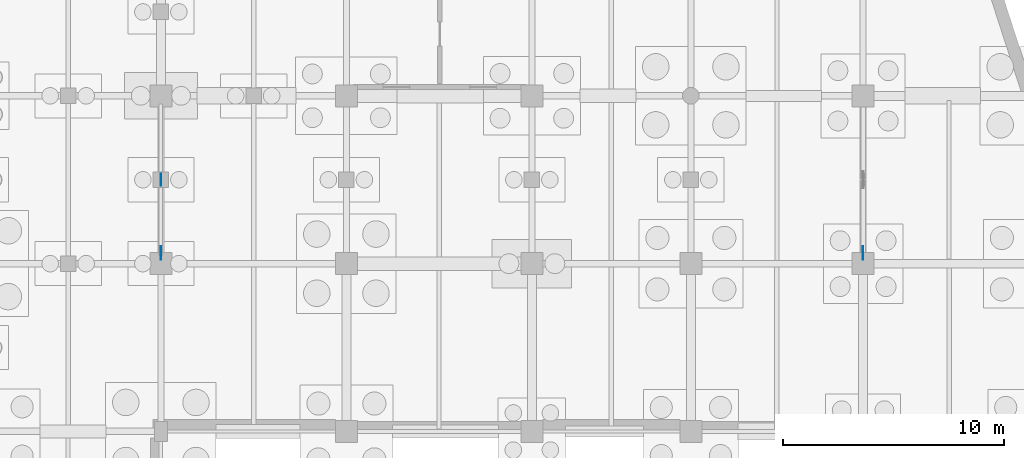
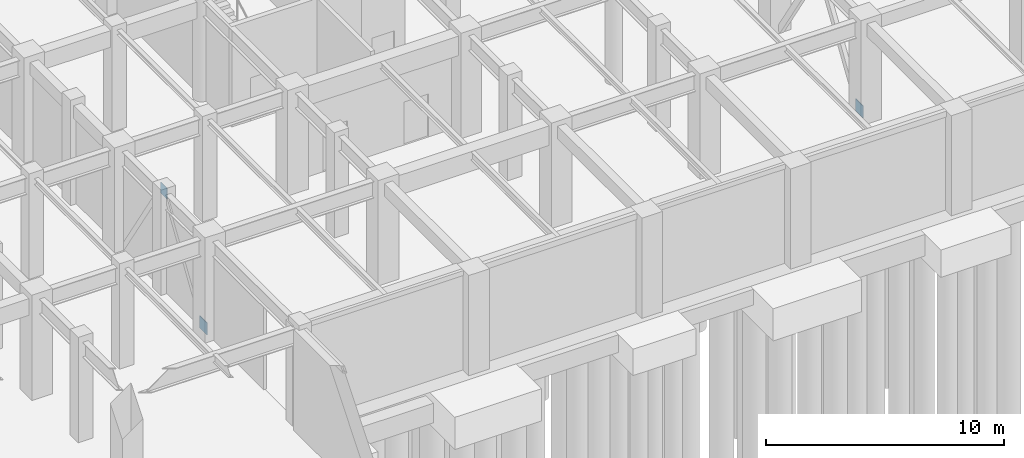
# One storey, part 37 of 52: 3 plates.
"""IFC4 building model written with IfcOpenShell, lengths in metres."""

from ifc_helpers import new_model, si_unit, direction, frame, origin, origin_2d, place, context, subcontext, project, spatial, rectangle, extrude, material, layer, layer_set, type_object, element, save


model = new_model("IFC4")

# Units and contexts
model_context = context("Model", 3, precision=1e-05, world=origin(), true_north=direction((0.0, 1.0)))
body_context = subcontext(model_context, "Body", "Model", "MODEL_VIEW")
ifc_project = project(units=[si_unit("LENGTHUNIT", "METRE"), si_unit("AREAUNIT", "SQUARE_METRE"), si_unit("VOLUMEUNIT", "CUBIC_METRE"), si_unit("PLANEANGLEUNIT", "RADIAN"), si_unit("MASSUNIT", "GRAM", prefix="KILO")], contexts=[model_context])

# Site, building, storey
site_placement = place(None, origin())
site = spatial("IfcSite", under=ifc_project, at=site_placement, CompositionType="ELEMENT")
building_placement = place(site_placement, origin())
building = spatial("IfcBuilding", under=site, at=building_placement, Name="Xicomal Pleat Aquarium", CompositionType="ELEMENT")
storey_placement = place(building_placement, frame((0.0, 0.0, -5.39990234375)))
storey = spatial("IfcBuildingStorey", under=building, at=storey_placement, Name="B1", CompositionType="ELEMENT", Elevation=-5.39990234375)

# Plates
ifc_material_1 = material(Name="Structural steel A992 Gr 50", Category="steel")
ifc_layer_1 = layer(ifc_material_1, 0.030029296875)
ifc_layer_set_1 = layer_set([ifc_layer_1], Name="Structural steel A992 Gr 50")
plate_type_1 = type_object("IfcPlateType", Name="PLT-CAP-30", PredefinedType="SHEET", material=ifc_layer_set_1)
for number, where, z_axis, x_axis, name in (
    (1, (94.199951171875, 38.47998046875, -0.16015625), (0.0, 0.0, 1.0), (0.0, 1.0, 0.0), "B1 HSS end cap plate 15"),
    (2, (126.0, 38.47998046875, -0.16015625), (0.0, 0.0, 1.0), (0.0, 1.0, 0.0), "B1 HSS end cap plate 19"),
):
    element("IfcPlate", number, at=place(storey_placement, frame(where, z_axis=z_axis, x_axis=x_axis)), inside=storey, type_object=plate_type_1, Name=name, PredefinedType="SHEET", context=body_context, shape_type="SweptSolid", body=[
        extrude(rectangle(XDim=0.6201171875, YDim=0.030029296875, at=origin_2d()), origin(), (0.0, 0.0, 1.0), 0.6201171875),
    ])
ifc_material_2 = material(Name="Structural steel A992 Gr 50", Category="steel")
ifc_layer_2 = layer(ifc_material_2, 0.02490234375)
ifc_layer_set_2 = layer_set([ifc_layer_2], Name="Structural steel A992 Gr 50")
plate_type_2 = type_object("IfcPlateType", Name="PLT-GUS-25", PredefinedType="USERDEFINED", material=ifc_layer_set_2)
plate_placement = place(storey_placement, frame((94.199951171875, 41.800048828125, 4.77490234375), z_axis=(0.0, 0.0, 1.0), x_axis=(0.0, 1.0, 0.0)))
element("IfcPlate", 3, at=plate_placement, inside=storey, type_object=plate_type_2, Name="B1 chevron gusset node plate 15", ObjectType="GUSSET PLATE", PredefinedType="USERDEFINED", context=body_context, shape_type="SweptSolid", body=[
    extrude(rectangle(XDim=0.550048828125, YDim=0.02490234375, at=origin_2d()), origin(), (0.0, 0.0, 1.0), 0.550048828125),
])

save(model, "model.ifc")
